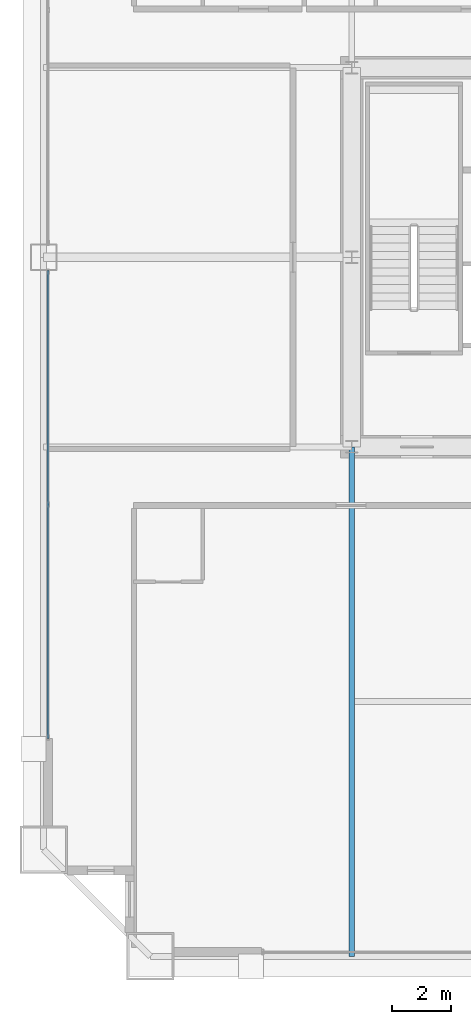
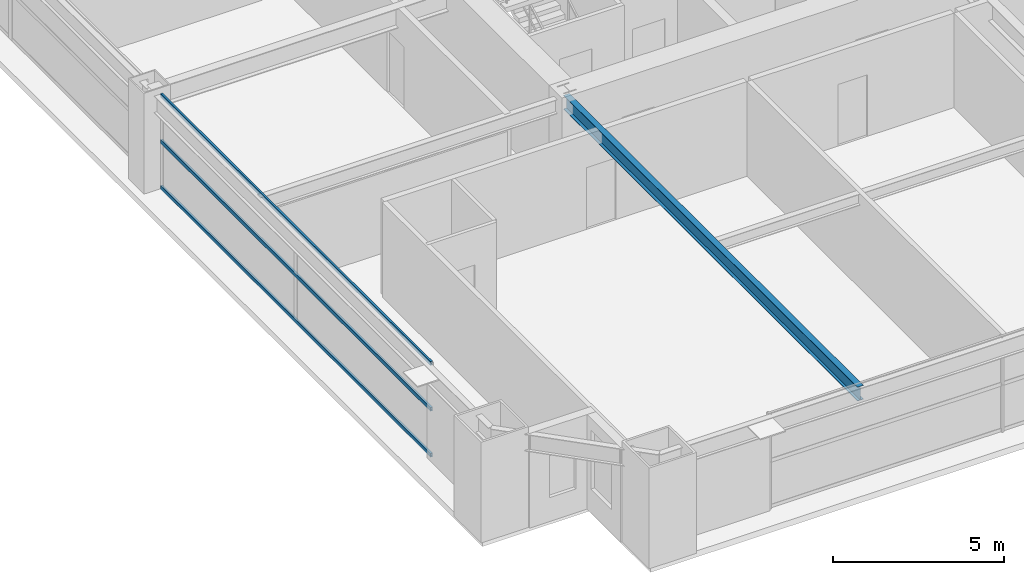
# One storey, part 8 of 38: 3 members, 1 beam, 1 element without a shape of its own.
"""IFC4 building model written with IfcOpenShell, lengths in metres."""

import ifcopenshell
import ifcopenshell.guid

model = None  # the IFC model being written
_history = None  # IfcOwnerHistory: only IFC2X3 demands one
_inside = {}  # id of a spatial element -> (the spatial element, [elements in it])
_under = {}  # id of a project, library or spatial element -> (it, [spatial elements below it])
_declared = {}  # id of a project -> (the project, [libraries it declares])
_typed = {}  # id of a type object -> (the type object, [elements of that type])
_made_of = {}  # id of a material, layer set ... -> (it, [elements and type objects made of it])


def new_model(schema):
    """Start an empty IFC model of exactly this schema.

    Asked for "IFC4X3", IfcOpenShell would pick the latest addendum, in which some entities
    have other attributes; the version numbers below select the first issue.
    IFC2X3 requires an IfcOwnerHistory on every rooted entity: one is made here for all.
    """
    global model, _history
    if schema == "IFC4X3":
        model = ifcopenshell.file(schema_version=(4, 3, 0, 0))
    else:
        model = ifcopenshell.file(schema=schema)
    _inside.clear()
    _under.clear()
    _declared.clear()
    _typed.clear()
    _made_of.clear()
    _history = None
    if model.schema == "IFC2X3":
        org = make("IfcOrganization", Name="unknown")
        user = make(
            "IfcPersonAndOrganization",
            ThePerson=make("IfcPerson", FamilyName="unknown"),
            TheOrganization=org,
        )
        app = make(
            "IfcApplication",
            ApplicationDeveloper=org,
            Version="unknown",
            ApplicationFullName="unknown",
            ApplicationIdentifier="unknown",
        )
        _history = make(
            "IfcOwnerHistory",
            OwningUser=user,
            OwningApplication=app,
            ChangeAction="ADDED",
            CreationDate=0,
        )
    return model


def make(cls, **values):
    """One entity of the class cls with the attributes given. An attribute that is None is left unset."""
    return model.create_entity(
        cls, **{name: value for name, value in values.items() if value is not None}
    )


def rooted(cls, **values):
    """An entity with a GlobalId (a new one), such as an element, a storey or a relation."""
    return make(cls, GlobalId=ifcopenshell.guid.new(), OwnerHistory=_history, **values)


def si_unit(unit_type, name, prefix=None):
    """IfcSIUnit, for example si_unit("LENGTHUNIT", "METRE", prefix="MILLI")."""
    return make("IfcSIUnit", UnitType=unit_type, Prefix=prefix, Name=name)


def assignment(units):
    """IfcUnitAssignment: the units of a project."""
    return None if units is None else make("IfcUnitAssignment", Units=units)


def point(xyz):
    """IfcCartesianPoint."""
    return None if xyz is None else make("IfcCartesianPoint", Coordinates=xyz)


def direction(xyz):
    """IfcDirection."""
    return None if xyz is None else make("IfcDirection", DirectionRatios=xyz)


def frame(location, z_axis=None, x_axis=None):
    """IfcAxis2Placement3D, a coordinate frame: its origin and axes. An axis left out is left unset."""
    return make(
        "IfcAxis2Placement3D",
        Location=point(location),
        Axis=direction(z_axis),
        RefDirection=direction(x_axis),
    )


def frame_2d(location, x_axis=None):
    """IfcAxis2Placement2D, a coordinate frame in the plane: its origin and x axis."""
    return make(
        "IfcAxis2Placement2D", Location=point(location), RefDirection=direction(x_axis)
    )


def origin():
    """The frame at (0, 0, 0) with its axes left unset."""
    return frame((0.0, 0.0, 0.0))


def origin_2d():
    """The frame at (0, 0) in the plane with its x axis left unset."""
    return frame_2d((0.0, 0.0))


def place(relative_to, where):
    """IfcLocalPlacement: puts the frame where relative to a parent placement (None: the world)."""
    return make(
        "IfcLocalPlacement", PlacementRelTo=relative_to, RelativePlacement=where
    )


def context(
    kind, dimensions, precision=None, world=None, true_north=None, identifier=None
):
    """IfcGeometricRepresentationContext, for example the 3D "Model" context."""
    return make(
        "IfcGeometricRepresentationContext",
        ContextIdentifier=identifier,
        ContextType=kind,
        CoordinateSpaceDimension=dimensions,
        Precision=precision,
        WorldCoordinateSystem=world,
        TrueNorth=true_north,
    )


def subcontext(parent, identifier, kind, view, scale=None):
    """IfcGeometricRepresentationSubContext, for example "Body" below "Model"."""
    return make(
        "IfcGeometricRepresentationSubContext",
        ContextIdentifier=identifier,
        ContextType=kind,
        ParentContext=parent,
        TargetScale=scale,
        TargetView=view,
    )


def project(units=None, contexts=None):
    """IfcProject with its units and contexts."""
    return rooted(
        "IfcProject",
        Name="project",
        RepresentationContexts=contexts,
        UnitsInContext=assignment(units),
    )


def spatial(cls, under=None, at=None, **own):
    """A site, building, storey or space (cls), placed at a placement, below another one or the project."""
    s = rooted(cls, ObjectPlacement=at, **own)
    if under is not None:
        _under.setdefault(under.id(), (under, []))[1].append(s)
    return s


def profile(cls, at=None, kind="AREA", **sizes):
    """A parametric profile (cls). Its sizes go by their IFC names, for example OverallWidth=200.0."""
    return make(cls, ProfileType=kind, Position=at, **sizes)


def hollow_rectangle(**sizes):
    """IfcRectangleHollowProfileDef."""
    return profile("IfcRectangleHollowProfileDef", **sizes)


def i_section(**sizes):
    """IfcIShapeProfileDef."""
    return profile("IfcIShapeProfileDef", **sizes)


def extrude(swept, where, along, depth):
    """IfcExtrudedAreaSolid: the profile swept, set in the frame where, extruded along a direction by depth."""
    return make(
        "IfcExtrudedAreaSolid",
        SweptArea=swept,
        Position=where,
        ExtrudedDirection=direction(along),
        Depth=depth,
    )


def shape(context_of_items, identifier, shape_type, items):
    """IfcShapeRepresentation: the items that make up one representation, for example the "Body"."""
    return make(
        "IfcShapeRepresentation",
        ContextOfItems=context_of_items,
        RepresentationIdentifier=identifier,
        RepresentationType=shape_type,
        Items=items,
    )


def source(mapping_origin, context_of_items, identifier, shape_type, items):
    """IfcRepresentationMap: a shape defined once, which mapped items show again and again."""
    return make(
        "IfcRepresentationMap",
        MappingOrigin=mapping_origin,
        MappedRepresentation=shape(context_of_items, identifier, shape_type, items),
    )


def transform(
    local_origin,
    x_axis=None,
    y_axis=None,
    z_axis=None,
    scale=None,
    scale2=None,
    scale3=None,
    uniform=True,
):
    """IfcCartesianTransformationOperator3D, or its non-uniform kind. x_axis, y_axis, z_axis: its Axis1, 2, 3."""
    if uniform:
        return make(
            "IfcCartesianTransformationOperator3D",
            Axis1=direction(x_axis),
            Axis2=direction(y_axis),
            LocalOrigin=point(local_origin),
            Scale=scale,
            Axis3=direction(z_axis),
        )
    return make(
        "IfcCartesianTransformationOperator3DnonUniform",
        Axis1=direction(x_axis),
        Axis2=direction(y_axis),
        LocalOrigin=point(local_origin),
        Scale=scale,
        Axis3=direction(z_axis),
        Scale2=scale2,
        Scale3=scale3,
    )


def mapped(mapping_source, mapping_target):
    """IfcMappedItem: shows the shape of a source again, moved by a transform."""
    return make(
        "IfcMappedItem", MappingSource=mapping_source, MappingTarget=mapping_target
    )


def material(Name=None, Category=None):
    """IfcMaterial."""
    return make("IfcMaterial", Name=Name, Category=Category)


def layer(
    of_material, thickness, ventilated=None, Name=None, Category=None, Priority=None
):
    """IfcMaterialLayer: one layer of a wall or slab, of a material (None: an air gap)."""
    return make(
        "IfcMaterialLayer",
        Material=of_material,
        LayerThickness=thickness,
        IsVentilated=ventilated,
        Name=Name,
        Category=Category,
        Priority=Priority,
    )


def layer_set(layers, Name=None):
    """IfcMaterialLayerSet."""
    return make("IfcMaterialLayerSet", MaterialLayers=layers, LayerSetName=Name)


def material_profile(
    of_material, cross_section, Name=None, Category=None, Priority=None
):
    """IfcMaterialProfile: a cross section and its material."""
    return make(
        "IfcMaterialProfile",
        Name=Name,
        Material=of_material,
        Profile=cross_section,
        Priority=Priority,
        Category=Category,
    )


def profile_set(profiles, Name=None, composite=None):
    """IfcMaterialProfileSet."""
    return make(
        "IfcMaterialProfileSet",
        Name=Name,
        MaterialProfiles=profiles,
        CompositeProfile=composite,
    )


def made_of(thing, what):
    """Note that an element or type object is made of a material, layer set ...; save() writes the relation."""
    if what is not None:
        _made_of.setdefault(what.id(), (what, []))[1].append(thing)
    return thing


def type_object(cls, material=None, **own):
    """A type object (cls), such as IfcWallType, which elements share."""
    return made_of(rooted(cls, **own), material)


def element(
    cls,
    number,
    at=None,
    inside=None,
    cuts=None,
    type_object=None,
    material=None,
    context=None,
    identifier="Body",
    shape_type=None,
    held_by="IfcProductDefinitionShape",
    body=None,
    shapes=None,
    **own,
):
    """One element of the class cls, such as IfcWall. Its Tag is "e" and its number.

    at: its placement. inside: the storey or other place that contains it. cuts: it is an
    opening in that element (IfcRelVoidsElement). A single representation is given by context,
    identifier, shape_type and body (its items); several are given by shapes. held_by: the class
    of the entity that holds the representations. save() writes the other relations.
    """
    e = rooted(cls, Tag="e%d" % number, ObjectPlacement=at, **own)
    if body is not None:
        shapes = [shape(context, identifier, shape_type, body)]
    if shapes is not None:
        e.Representation = make(held_by, Representations=shapes)
    if inside is not None:
        _inside.setdefault(inside.id(), (inside, []))[1].append(e)
    if cuts is not None:
        rooted(
            "IfcRelVoidsElement", RelatingBuildingElement=cuts, RelatedOpeningElement=e
        )
    if type_object is not None:
        _typed.setdefault(type_object.id(), (type_object, []))[1].append(e)
    return made_of(e, material)


def aggregate(whole, parts):
    """IfcRelAggregates: a whole, such as a stair, and the parts it consists of."""
    return rooted("IfcRelAggregates", RelatingObject=whole, RelatedObjects=parts)


def save(model, path):
    """Write the relations noted so far, then the file.

    IfcRelAggregates (storeys below a building ...), IfcRelContainedInSpatialStructure (elements
    in a storey), IfcRelDefinesByType, IfcRelAssociatesMaterial and IfcRelDeclares: one each for
    every whole, place, type object, material and project.
    """
    for whole, parts in _under.values():
        aggregate(whole, parts)
    for where, things in _inside.values():
        rooted(
            "IfcRelContainedInSpatialStructure",
            RelatedElements=things,
            RelatingStructure=where,
        )
    for kind, things in _typed.values():
        rooted("IfcRelDefinesByType", RelatedObjects=things, RelatingType=kind)
    for what, things in _made_of.values():
        rooted("IfcRelAssociatesMaterial", RelatedObjects=things, RelatingMaterial=what)
    for by, libraries in _declared.values():
        rooted("IfcRelDeclares", RelatingContext=by, RelatedDefinitions=libraries)
    model.write(path)


model = new_model("IFC4")

# Units and contexts
model_context = context("Model", 3, precision=1e-05, world=origin(), true_north=direction((0.0, 1.0)))
body_context = subcontext(model_context, "Body", "Model", "MODEL_VIEW")
ifc_project = project(units=[si_unit("LENGTHUNIT", "METRE"), si_unit("AREAUNIT", "SQUARE_METRE"), si_unit("VOLUMEUNIT", "CUBIC_METRE"), si_unit("PLANEANGLEUNIT", "RADIAN"), si_unit("MASSUNIT", "GRAM", prefix="KILO"), si_unit("THERMODYNAMICTEMPERATUREUNIT", "KELVIN"), si_unit("POWERUNIT", "WATT")], contexts=[model_context])

# Site, building, storey
site_placement = place(None, origin())
site = spatial("IfcSite", under=ifc_project, at=site_placement, CompositionType="ELEMENT")
building_placement = place(site_placement, origin())
building = spatial("IfcBuilding", under=site, at=building_placement, Name="Yuzanri Waterfront Tower", CompositionType="ELEMENT")
storey_placement = place(building_placement, frame((0.0, 0.0, 111.800048828125)))
storey = spatial("IfcBuildingStorey", under=building, at=storey_placement, Name="L29", CompositionType="ELEMENT", Elevation=111.800048828125)

# Beam
ifc_material_1 = material(Name="Steel Q355B", Category="steel")
ifc_material_profile_1 = material_profile(ifc_material_1, i_section(OverallWidth=0.199951171875, OverallDepth=0.5, WebThickness=0.010009765625, FlangeThickness=0.01611328125, at=origin_2d()), Name="HN 500x200x10x16")
ifc_profile_set_1 = profile_set([ifc_material_profile_1], Name="Steel Q355B")
beam_type = type_object("IfcBeamType", Name="Secondary Floor Beam Q355B HN 500x200", PredefinedType="BEAM", material=ifc_profile_set_1)
shared_shape_1 = source(origin(), body_context, "Body", "SweptSolid", [
    extrude(i_section(OverallWidth=0.199951171875, OverallDepth=0.5, WebThickness=0.010009765625, FlangeThickness=0.01611328125, at=origin_2d()), origin(), (0.0, 0.0, 1.0), 17.199951171875),
])
beam_placement = place(storey_placement, frame((23.800048828125, 19.39990234375, 3.1298828125), z_axis=(0.0, -1.0, 0.0), x_axis=(1.0, 0.0, 0.0)))
element("IfcBeam", 1, at=beam_placement, inside=storey, type_object=beam_type, Name="L29 South-West Core Line Beam", PredefinedType="BEAM", context=body_context, shape_type="MappedRepresentation", body=[
    mapped(shared_shape_1, transform((0.0, 0.0, 0.0), scale=1.0)),
])

# Curtain wall, members
ifc_material_2 = material(Name="Anodized Architectural Bronze", Category="metal")
ifc_layer = layer(ifc_material_2, 0.159912109375)
ifc_layer_set = layer_set([ifc_layer], Name="Anodized Architectural Bronze")
curtain_wall_type = type_object("IfcCurtainWallType", Name="Anodized Bronze Hotel Upper-Tier Solar-Control Unitized Curtain Wall 7800", PredefinedType="NOTDEFINED", material=ifc_layer_set)
curtain_wall_placement = place(storey_placement, origin())
curtain_wall = element("IfcCurtainWall", 2, at=curtain_wall_placement, inside=storey, type_object=curtain_wall_type, Name="L29 Curtain Wall CW-L29-WL", PredefinedType="NOTDEFINED")
ifc_material_3 = material(Name="Anodized Architectural Bronze", Category="metal")
ifc_material_profile_2 = material_profile(ifc_material_3, hollow_rectangle(XDim=0.070068359375, YDim=0.135009765625, WallThickness=0.00341796875, at=origin_2d()), Name="CWT 70x135")
ifc_profile_set_2 = profile_set([ifc_material_profile_2], Name="Anodized Architectural Bronze")
member_type = type_object("IfcMemberType", Name="Anodized Bronze Standard Curtain-Wall Transom 70x135", PredefinedType="USERDEFINED", material=ifc_profile_set_2)
shared_shape_2 = source(origin(), body_context, "Body", "SweptSolid", [
    extrude(hollow_rectangle(XDim=0.070068359375, YDim=0.135009765625, WallThickness=0.00341796875, at=origin_2d()), origin(), (0.0, 0.0, 1.0), 15.800048828125),
])
member_1_placement = place(storey_placement, frame((13.550048828125, 9.550048828125, 0.050048828125), z_axis=(0.0, 1.0, 0.0), x_axis=(-1.0, 0.0, 0.0)))
member_1 = element("IfcMember", 3, at=member_1_placement, type_object=member_type, Name="CW-L29-WL Transom 1", ObjectType="TRANSOM", PredefinedType="USERDEFINED", context=body_context, shape_type="MappedRepresentation", body=[
    mapped(shared_shape_2, transform((0.0, 0.0, 0.0), scale=1.0)),
])
member_2_placement = place(storey_placement, frame((13.550048828125, 9.550048828125, 1.68994140625), z_axis=(0.0, 1.0, 0.0), x_axis=(-1.0, 0.0, 0.0)))
member_2 = element("IfcMember", 4, at=member_2_placement, type_object=member_type, Name="CW-L29-WL Transom 2", ObjectType="TRANSOM", PredefinedType="USERDEFINED", context=body_context, shape_type="MappedRepresentation", body=[
    mapped(shared_shape_2, transform((0.0, 0.0, 0.0), scale=1.0)),
])
member_3_placement = place(storey_placement, frame((13.550048828125, 9.550048828125, 3.329833984375), z_axis=(0.0, 1.0, 0.0), x_axis=(-1.0, 0.0, 0.0)))
member_3 = element("IfcMember", 5, at=member_3_placement, type_object=member_type, Name="CW-L29-WL Transom 3", ObjectType="TRANSOM", PredefinedType="USERDEFINED", context=body_context, shape_type="MappedRepresentation", body=[
    mapped(shared_shape_2, transform((0.0, 0.0, 0.0), scale=1.0)),
])
aggregate(curtain_wall, [member_1, member_2, member_3])

save(model, "model.ifc")
